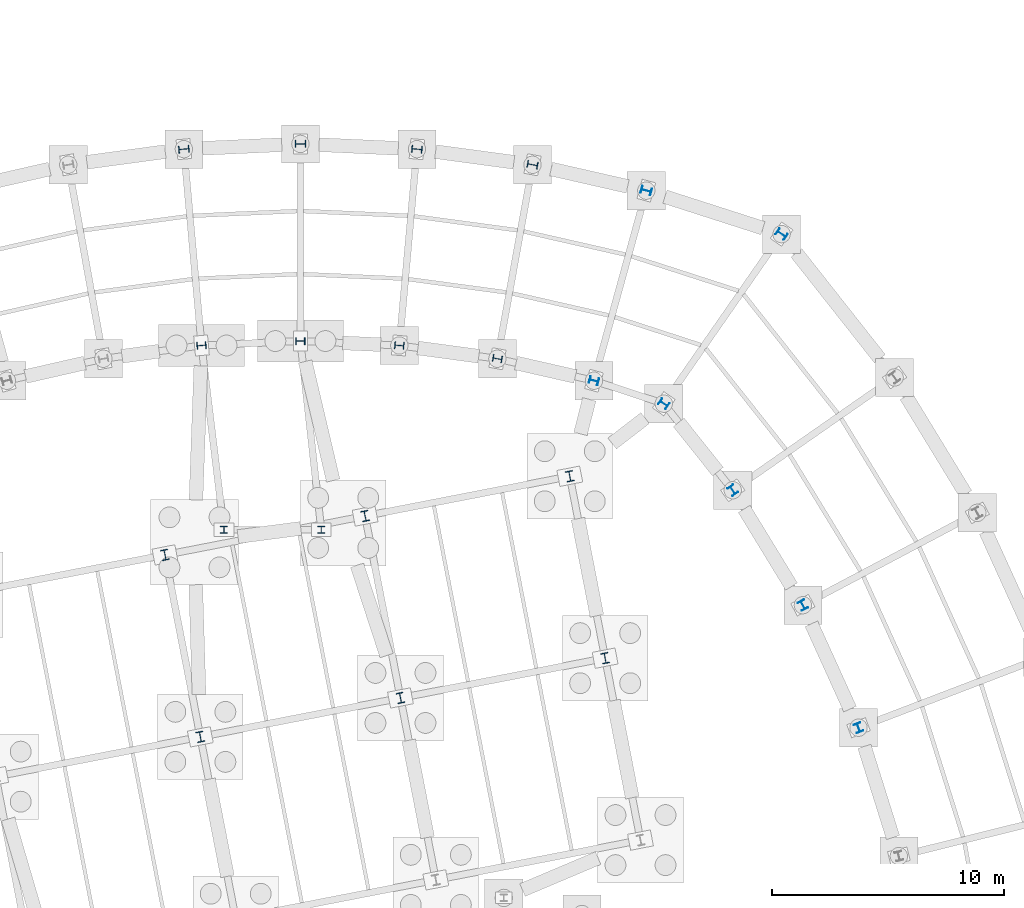
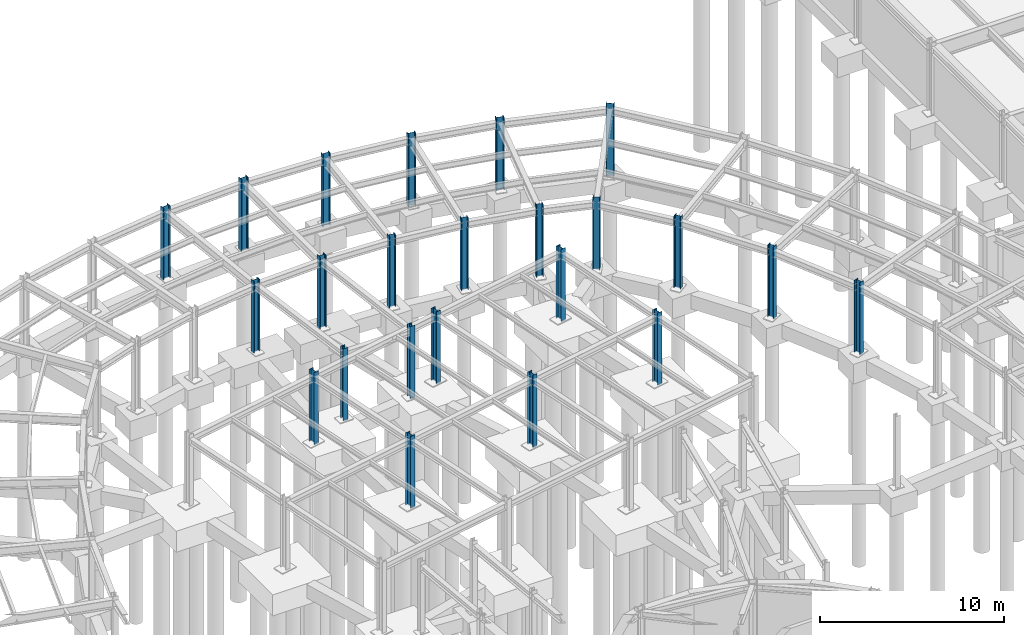
# One storey, part 21 of 50: 23 columns.
"""IFC4 building model written with IfcOpenShell, lengths in metres."""

import ifcopenshell
import ifcopenshell.guid

model = None  # the IFC model being written
_history = None  # IfcOwnerHistory: only IFC2X3 demands one
_inside = {}  # id of a spatial element -> (the spatial element, [elements in it])
_under = {}  # id of a project, library or spatial element -> (it, [spatial elements below it])
_declared = {}  # id of a project -> (the project, [libraries it declares])
_typed = {}  # id of a type object -> (the type object, [elements of that type])
_made_of = {}  # id of a material, layer set ... -> (it, [elements and type objects made of it])


def new_model(schema):
    """Start an empty IFC model of exactly this schema.

    Asked for "IFC4X3", IfcOpenShell would pick the latest addendum, in which some entities
    have other attributes; the version numbers below select the first issue.
    IFC2X3 requires an IfcOwnerHistory on every rooted entity: one is made here for all.
    """
    global model, _history
    if schema == "IFC4X3":
        model = ifcopenshell.file(schema_version=(4, 3, 0, 0))
    else:
        model = ifcopenshell.file(schema=schema)
    _inside.clear()
    _under.clear()
    _declared.clear()
    _typed.clear()
    _made_of.clear()
    _history = None
    if model.schema == "IFC2X3":
        org = make("IfcOrganization", Name="unknown")
        user = make(
            "IfcPersonAndOrganization",
            ThePerson=make("IfcPerson", FamilyName="unknown"),
            TheOrganization=org,
        )
        app = make(
            "IfcApplication",
            ApplicationDeveloper=org,
            Version="unknown",
            ApplicationFullName="unknown",
            ApplicationIdentifier="unknown",
        )
        _history = make(
            "IfcOwnerHistory",
            OwningUser=user,
            OwningApplication=app,
            ChangeAction="ADDED",
            CreationDate=0,
        )
    return model


def make(cls, **values):
    """One entity of the class cls with the attributes given. An attribute that is None is left unset."""
    return model.create_entity(
        cls, **{name: value for name, value in values.items() if value is not None}
    )


def rooted(cls, **values):
    """An entity with a GlobalId (a new one), such as an element, a storey or a relation."""
    return make(cls, GlobalId=ifcopenshell.guid.new(), OwnerHistory=_history, **values)


def si_unit(unit_type, name, prefix=None):
    """IfcSIUnit, for example si_unit("LENGTHUNIT", "METRE", prefix="MILLI")."""
    return make("IfcSIUnit", UnitType=unit_type, Prefix=prefix, Name=name)


def assignment(units):
    """IfcUnitAssignment: the units of a project."""
    return None if units is None else make("IfcUnitAssignment", Units=units)


def point(xyz):
    """IfcCartesianPoint."""
    return None if xyz is None else make("IfcCartesianPoint", Coordinates=xyz)


def direction(xyz):
    """IfcDirection."""
    return None if xyz is None else make("IfcDirection", DirectionRatios=xyz)


def frame(location, z_axis=None, x_axis=None):
    """IfcAxis2Placement3D, a coordinate frame: its origin and axes. An axis left out is left unset."""
    return make(
        "IfcAxis2Placement3D",
        Location=point(location),
        Axis=direction(z_axis),
        RefDirection=direction(x_axis),
    )


def frame_2d(location, x_axis=None):
    """IfcAxis2Placement2D, a coordinate frame in the plane: its origin and x axis."""
    return make(
        "IfcAxis2Placement2D", Location=point(location), RefDirection=direction(x_axis)
    )


def origin():
    """The frame at (0, 0, 0) with its axes left unset."""
    return frame((0.0, 0.0, 0.0))


def origin_2d():
    """The frame at (0, 0) in the plane with its x axis left unset."""
    return frame_2d((0.0, 0.0))


def place(relative_to, where):
    """IfcLocalPlacement: puts the frame where relative to a parent placement (None: the world)."""
    return make(
        "IfcLocalPlacement", PlacementRelTo=relative_to, RelativePlacement=where
    )


def context(
    kind, dimensions, precision=None, world=None, true_north=None, identifier=None
):
    """IfcGeometricRepresentationContext, for example the 3D "Model" context."""
    return make(
        "IfcGeometricRepresentationContext",
        ContextIdentifier=identifier,
        ContextType=kind,
        CoordinateSpaceDimension=dimensions,
        Precision=precision,
        WorldCoordinateSystem=world,
        TrueNorth=true_north,
    )


def subcontext(parent, identifier, kind, view, scale=None):
    """IfcGeometricRepresentationSubContext, for example "Body" below "Model"."""
    return make(
        "IfcGeometricRepresentationSubContext",
        ContextIdentifier=identifier,
        ContextType=kind,
        ParentContext=parent,
        TargetScale=scale,
        TargetView=view,
    )


def project(units=None, contexts=None):
    """IfcProject with its units and contexts."""
    return rooted(
        "IfcProject",
        Name="project",
        RepresentationContexts=contexts,
        UnitsInContext=assignment(units),
    )


def spatial(cls, under=None, at=None, **own):
    """A site, building, storey or space (cls), placed at a placement, below another one or the project."""
    s = rooted(cls, ObjectPlacement=at, **own)
    if under is not None:
        _under.setdefault(under.id(), (under, []))[1].append(s)
    return s


def profile(cls, at=None, kind="AREA", **sizes):
    """A parametric profile (cls). Its sizes go by their IFC names, for example OverallWidth=200.0."""
    return make(cls, ProfileType=kind, Position=at, **sizes)


def i_section(**sizes):
    """IfcIShapeProfileDef."""
    return profile("IfcIShapeProfileDef", **sizes)


def extrude(swept, where, along, depth):
    """IfcExtrudedAreaSolid: the profile swept, set in the frame where, extruded along a direction by depth."""
    return make(
        "IfcExtrudedAreaSolid",
        SweptArea=swept,
        Position=where,
        ExtrudedDirection=direction(along),
        Depth=depth,
    )


def shape(context_of_items, identifier, shape_type, items):
    """IfcShapeRepresentation: the items that make up one representation, for example the "Body"."""
    return make(
        "IfcShapeRepresentation",
        ContextOfItems=context_of_items,
        RepresentationIdentifier=identifier,
        RepresentationType=shape_type,
        Items=items,
    )


def material(Name=None, Category=None):
    """IfcMaterial."""
    return make("IfcMaterial", Name=Name, Category=Category)


def material_profile(
    of_material, cross_section, Name=None, Category=None, Priority=None
):
    """IfcMaterialProfile: a cross section and its material."""
    return make(
        "IfcMaterialProfile",
        Name=Name,
        Material=of_material,
        Profile=cross_section,
        Priority=Priority,
        Category=Category,
    )


def profile_set(profiles, Name=None, composite=None):
    """IfcMaterialProfileSet."""
    return make(
        "IfcMaterialProfileSet",
        Name=Name,
        MaterialProfiles=profiles,
        CompositeProfile=composite,
    )


def made_of(thing, what):
    """Note that an element or type object is made of a material, layer set ...; save() writes the relation."""
    if what is not None:
        _made_of.setdefault(what.id(), (what, []))[1].append(thing)
    return thing


def type_object(cls, material=None, **own):
    """A type object (cls), such as IfcWallType, which elements share."""
    return made_of(rooted(cls, **own), material)


def element(
    cls,
    number,
    at=None,
    inside=None,
    cuts=None,
    type_object=None,
    material=None,
    context=None,
    identifier="Body",
    shape_type=None,
    held_by="IfcProductDefinitionShape",
    body=None,
    shapes=None,
    **own,
):
    """One element of the class cls, such as IfcWall. Its Tag is "e" and its number.

    at: its placement. inside: the storey or other place that contains it. cuts: it is an
    opening in that element (IfcRelVoidsElement). A single representation is given by context,
    identifier, shape_type and body (its items); several are given by shapes. held_by: the class
    of the entity that holds the representations. save() writes the other relations.
    """
    e = rooted(cls, Tag="e%d" % number, ObjectPlacement=at, **own)
    if body is not None:
        shapes = [shape(context, identifier, shape_type, body)]
    if shapes is not None:
        e.Representation = make(held_by, Representations=shapes)
    if inside is not None:
        _inside.setdefault(inside.id(), (inside, []))[1].append(e)
    if cuts is not None:
        rooted(
            "IfcRelVoidsElement", RelatingBuildingElement=cuts, RelatedOpeningElement=e
        )
    if type_object is not None:
        _typed.setdefault(type_object.id(), (type_object, []))[1].append(e)
    return made_of(e, material)


def aggregate(whole, parts):
    """IfcRelAggregates: a whole, such as a stair, and the parts it consists of."""
    return rooted("IfcRelAggregates", RelatingObject=whole, RelatedObjects=parts)


def save(model, path):
    """Write the relations noted so far, then the file.

    IfcRelAggregates (storeys below a building ...), IfcRelContainedInSpatialStructure (elements
    in a storey), IfcRelDefinesByType, IfcRelAssociatesMaterial and IfcRelDeclares: one each for
    every whole, place, type object, material and project.
    """
    for whole, parts in _under.values():
        aggregate(whole, parts)
    for where, things in _inside.values():
        rooted(
            "IfcRelContainedInSpatialStructure",
            RelatedElements=things,
            RelatingStructure=where,
        )
    for kind, things in _typed.values():
        rooted("IfcRelDefinesByType", RelatedObjects=things, RelatingType=kind)
    for what, things in _made_of.values():
        rooted("IfcRelAssociatesMaterial", RelatedObjects=things, RelatingMaterial=what)
    for by, libraries in _declared.values():
        rooted("IfcRelDeclares", RelatingContext=by, RelatedDefinitions=libraries)
    model.write(path)


model = new_model("IFC4")

# Units and contexts
model_context = context("Model", 3, precision=1e-05, world=origin(), true_north=direction((0.0, 1.0)))
body_context = subcontext(model_context, "Body", "Model", "MODEL_VIEW")
ifc_project = project(units=[si_unit("LENGTHUNIT", "METRE"), si_unit("AREAUNIT", "SQUARE_METRE"), si_unit("VOLUMEUNIT", "CUBIC_METRE"), si_unit("PLANEANGLEUNIT", "RADIAN"), si_unit("MASSUNIT", "GRAM", prefix="KILO")], contexts=[model_context])

# Site, building, storey
site_placement = place(None, origin())
site = spatial("IfcSite", under=ifc_project, at=site_placement, CompositionType="ELEMENT")
building_placement = place(site_placement, origin())
building = spatial("IfcBuilding", under=site, at=building_placement, Name="Varnklinge Art Gallery", CompositionType="ELEMENT")
storey_placement = place(building_placement, frame((0.0, 0.0, -4.800048828125)))
storey = spatial("IfcBuildingStorey", under=building, at=storey_placement, Name="B01", CompositionType="ELEMENT", Elevation=-4.800048828125)

# Columns
ifc_material_1 = material(Name="Steel S355", Category="steel")
ifc_material_profile_1 = material_profile(ifc_material_1, i_section(OverallWidth=0.300048828125, OverallDepth=0.449951171875, WebThickness=0.013916015625, FlangeThickness=0.02587890625, FilletRadius=0.027099609375, at=origin_2d()), Name="HEB 450")
ifc_profile_set_1 = profile_set([ifc_material_profile_1], Name="Steel S355")
column_type_1 = type_object("IfcColumnType", Name="COL-06", PredefinedType="COLUMN", material=ifc_profile_set_1)
for number, where, z_axis, x_axis, name in (
    (1, (96.27099609375, 93.35986328125, 0.0), (0.0, 0.0, 1.0), (-0.570570241419, -0.821248804935, 0.0), "B01 Column V2CO-13"),
    (2, (90.4296875, 95.2373046875, 0.0), (0.0, 0.0, 1.0), (-0.265387847052, -0.964141737836, 0.0), "B01 Column V2CO-14"),
    (3, (85.520263671875, 96.35498046875, 0.0), (0.0, 0.0, 1.0), (-0.178115290264, -0.984009625651, 0.0), "B01 Column V2CO-15"),
    (4, (80.5302734375, 97.029296875, 0.0), (0.0, 0.0, 1.0), (-0.089415810539, -0.995994383933, 0.0), "B01 Column V2CO-16"),
    (5, (75.5, 97.254638671875, 0.0), (0.0, 0.0, 1.0), (0.0, -1.0, 0.0), "B01 Column V2CO-17"),
    (6, (70.4697265625, 97.029296875, 0.0), (0.0, 0.0, 1.0), (0.089415810539, -0.995994383933, 0.0), "B01 Column V2CO-18"),
    (7, (71.180908203125, 71.660400390625, 0.0), (0.0, 0.0, 1.0), (0.981627183448, 0.190808995377, 0.0), "B01 Column V4BC-2-2"),
    (8, (69.654296875, 79.513427734375, 0.0), (0.0, 0.0, 1.0), (0.981627183448, 0.190808995377, 0.0), "B01 Column V4BC-2-3"),
    (9, (79.819091796875, 73.339599609375, 0.0), (0.0, 0.0, 1.0), (0.981627183448, 0.190808995377, 0.0), "B01 Column V4BC-3-2"),
    (10, (78.292724609375, 81.192626953125, 0.0), (0.0, 0.0, 1.0), (0.981627183448, 0.190808995377, 0.0), "B01 Column V4BC-3-3"),
    (11, (88.65380859375, 75.056884765625, 0.0), (0.0, 0.0, 1.0), (0.981627183448, 0.190808995377, 0.0), "B01 Column V4BC-4-2"),
    (12, (87.127197265625, 82.909912109375, 0.0), (0.0, 0.0, 1.0), (0.981627183448, 0.190808995377, 0.0), "B01 Column V4BC-4-3"),
):
    element("IfcColumn", number, at=place(storey_placement, frame(where, z_axis=z_axis, x_axis=x_axis)), inside=storey, type_object=column_type_1, Name=name, PredefinedType="COLUMN", context=body_context, shape_type="SweptSolid", body=[
        extrude(i_section(OverallWidth=0.300048828125, OverallDepth=0.449951171875, WebThickness=0.013916015625, FlangeThickness=0.02587890625, FilletRadius=0.027099609375, at=origin_2d()), origin(), (0.0, 0.0, 1.0), 4.800048828125),
    ])
ifc_material_2 = material(Name="Steel S355", Category="steel")
ifc_material_profile_2 = material_profile(ifc_material_2, i_section(OverallWidth=0.300048828125, OverallDepth=0.39990234375, WebThickness=0.013427734375, FlangeThickness=0.02392578125, FilletRadius=0.027099609375, at=origin_2d()), Name="HEB 400")
ifc_profile_set_2 = profile_set([ifc_material_profile_2], Name="Steel S355")
column_type_2 = type_object("IfcColumnType", Name="COL-07", PredefinedType="COLUMN", material=ifc_profile_set_2)
for number, where, z_axis, x_axis, name in (
    (13, (99.59130859375, 72.0546875, 0.0), (0.0, 0.0, 1.0), (-0.934017558691, -0.357227098715, 0.0), "B01 Column V2CI-10"),
    (14, (97.189697265625, 77.344482421875, 0.0), (0.0, 0.0, 1.0), (-0.883683947469, -0.468084053333, 0.0), "B01 Column V2CI-11"),
    (15, (94.1630859375, 82.3037109375, 0.0), (0.0, 0.0, 1.0), (-0.820351542489, -0.571859551582, 0.0), "B01 Column V2CI-12"),
    (16, (91.185791015625, 86.041015625, 0.0), (0.0, 0.0, 1.0), (-0.570570241419, -0.821248804935, 0.0), "B01 Column V2CI-13"),
    (17, (88.17138671875, 87.033203125, 0.0), (0.0, 0.0, 1.0), (-0.265387847052, -0.964141737836, 0.0), "B01 Column V2CI-14"),
    (18, (84.00439453125, 87.981689453125, 0.0), (0.0, 0.0, 1.0), (-0.178115290264, -0.984009625651, 0.0), "B01 Column V2CI-15"),
    (19, (79.769287109375, 88.55419921875, 0.0), (0.0, 0.0, 1.0), (-0.089415810539, -0.995994383933, 0.0), "B01 Column V2CI-16"),
    (20, (75.5, 88.745361328125, 0.0), (0.0, 0.0, 1.0), (0.0, -1.0, 0.0), "B01 Column V2CI-17"),
    (21, (71.230712890625, 88.55419921875, 0.0), (0.0, 0.0, 1.0), (0.089415810539, -0.995994383933, 0.0), "B01 Column V2CI-18"),
):
    element("IfcColumn", number, at=place(storey_placement, frame(where, z_axis=z_axis, x_axis=x_axis)), inside=storey, type_object=column_type_2, Name=name, PredefinedType="COLUMN", context=body_context, shape_type="SweptSolid", body=[
        extrude(i_section(OverallWidth=0.300048828125, OverallDepth=0.39990234375, WebThickness=0.013427734375, FlangeThickness=0.02392578125, FilletRadius=0.027099609375, at=origin_2d()), origin(), (0.0, 0.0, 1.0), 4.800048828125),
    ])
ifc_material_3 = material(Name="Steel S355", Category="steel")
ifc_material_profile_3 = material_profile(ifc_material_3, i_section(OverallWidth=0.300048828125, OverallDepth=0.320068359375, WebThickness=0.011474609375, FlangeThickness=0.0205078125, FilletRadius=0.027099609375, at=origin_2d()), Name="HEB 320")
ifc_profile_set_3 = profile_set([ifc_material_profile_3], Name="Steel S355")
column_type_3 = type_object("IfcColumnType", Name="COL-09", PredefinedType="COLUMN", material=ifc_profile_set_3)
for number, where, z_axis, x_axis, name in (
    (22, (72.199951171875, 80.60009765625, 0.0), (0.0, 0.0, 1.0), (1.0, 0.0, 0.0), "B01 Column LNK-V4N-C1"),
    (23, (76.39990234375, 80.60009765625, 0.0), (0.0, 0.0, 1.0), (1.0, 0.0, 0.0), "B01 Column LNK-V4N-C2"),
):
    element("IfcColumn", number, at=place(storey_placement, frame(where, z_axis=z_axis, x_axis=x_axis)), inside=storey, type_object=column_type_3, Name=name, PredefinedType="COLUMN", context=body_context, shape_type="SweptSolid", body=[
        extrude(i_section(OverallWidth=0.300048828125, OverallDepth=0.320068359375, WebThickness=0.011474609375, FlangeThickness=0.0205078125, FilletRadius=0.027099609375, at=origin_2d()), origin(), (0.0, 0.0, 1.0), 4.800048828125),
    ])

save(model, "model.ifc")
